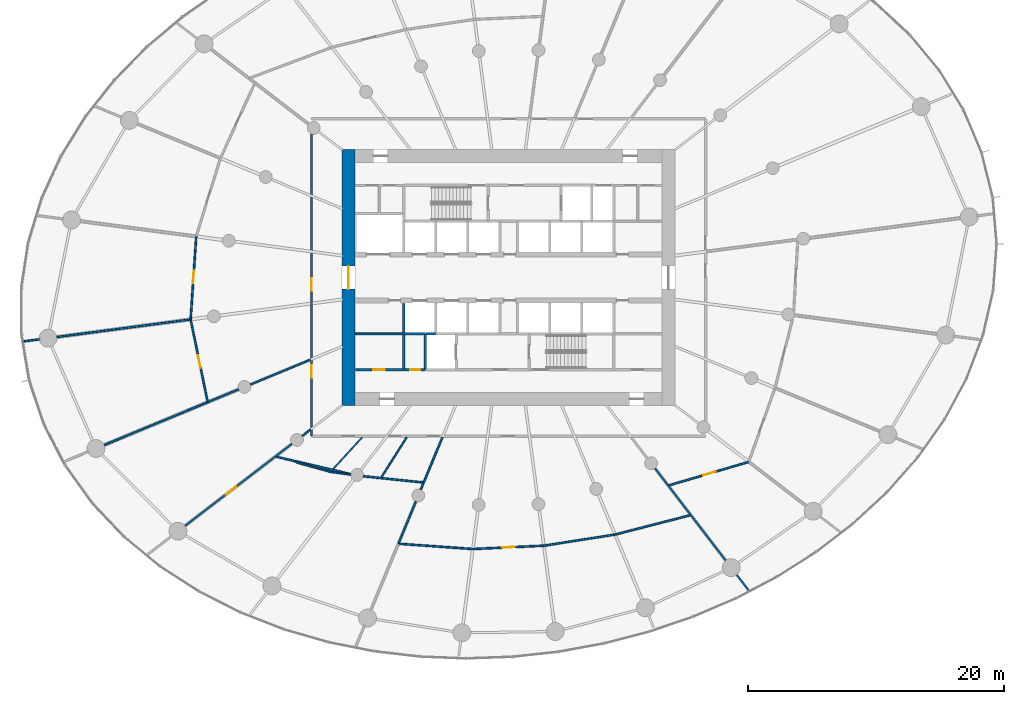
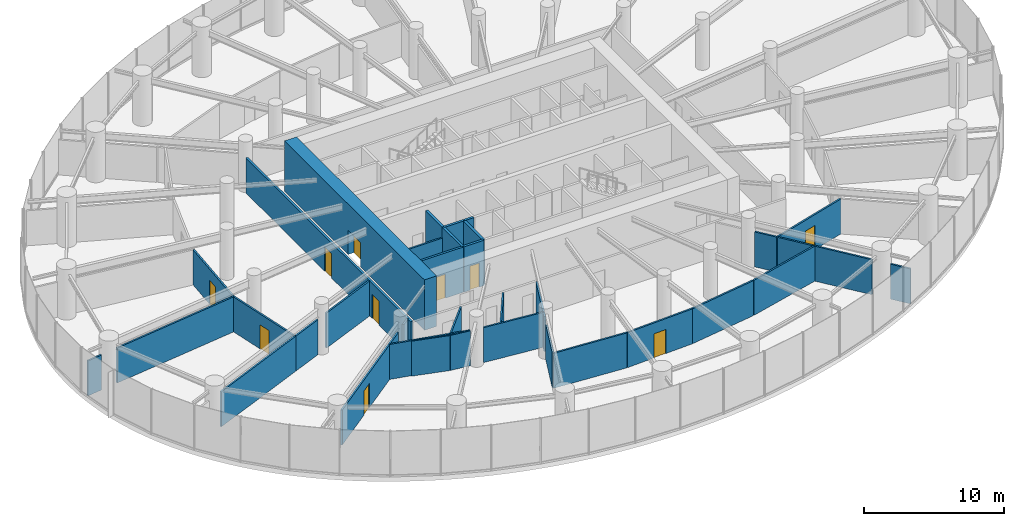
# One storey, part 12 of 19: 38 walls, 10 doors, 10 openings.
"""IFC4 building model written with IfcOpenShell, lengths in metres."""

from ifc_helpers import new_model, si_unit, direction, frame, frame_2d, origin, place, context, subcontext, project, spatial, rectangle, extrude, source, transform, mapped, material, layer, layer_set, type_object, element, fill, save


model = new_model("IFC4")

# Units and contexts
model_context = context("Model", 3, precision=1e-05, world=origin(), true_north=direction((0.0, 1.0)))
body_context = subcontext(model_context, "Body", "Model", "MODEL_VIEW")
ifc_project = project(units=[si_unit("LENGTHUNIT", "METRE"), si_unit("AREAUNIT", "SQUARE_METRE"), si_unit("VOLUMEUNIT", "CUBIC_METRE"), si_unit("PLANEANGLEUNIT", "RADIAN"), si_unit("MASSUNIT", "GRAM", prefix="KILO")], contexts=[model_context])

# Site, building, storey
site_placement = place(None, origin())
site = spatial("IfcSite", under=ifc_project, at=site_placement, CompositionType="ELEMENT")
building_placement = place(site_placement, origin())
building = spatial("IfcBuilding", under=site, at=building_placement, Name="Spindrift Exchange Tower", CompositionType="ELEMENT")
storey_placement = place(building_placement, frame((0.0, 0.0, 44.60009765625)))
storey = spatial("IfcBuildingStorey", under=building, at=storey_placement, Name="L10", CompositionType="ELEMENT", Elevation=44.60009765625)

# Wall, opening, door
ifc_material_1 = material(Name="Concrete 80 MPa", Category="concrete")
ifc_layer_1 = layer(ifc_material_1, 1.0)
ifc_layer_set_1 = layer_set([ifc_layer_1], Name="RC Core Wall 1000 Concrete 80 MPa")
wall_type_1 = type_object("IfcWallType", Name="RC Core Wall 1000 Concrete 80 MPa", PredefinedType="SHEAR", material=ifc_layer_set_1)
wall_1_placement = place(storey_placement, frame((39.5, 58.0, 0.0), z_axis=(0.0, 0.0, 1.0), x_axis=(0.0, -1.0, 0.0)))
wall_1 = element("IfcWall", 1, at=wall_1_placement, inside=storey, type_object=wall_type_1, Name="Core wall W L10", PredefinedType="SHEAR", context=body_context, shape_type="SweptSolid", body=[
    extrude(rectangle(XDim=20.0, YDim=1.0, at=frame_2d((10.0, 0.0))), origin(), (0.0, 0.0, 1.0), 4.39990234375),
])
opening_1_placement = place(wall_1_placement, frame((9.10009765625, 0.0, 0.0)))
opening_1 = element("IfcOpeningElement", 2, at=opening_1_placement, cuts=wall_1, Name="Opening L10-D1", PredefinedType="OPENING", context=body_context, shape_type="SweptSolid", body=[
    extrude(rectangle(XDim=1.800048828125, YDim=2.10009765625, at=frame_2d((0.89990234375, 1.050048828125))), frame((0.0, 0.510009765625, 0.0), z_axis=(0.0, -1.0, 0.0), x_axis=(1.0, 0.0, 0.0)), (0.0, 0.0, 1.0), 1.02001953125),
])
ifc_material_2 = material(Name="Timber-core fire door", Category="wood")
door_type_1 = type_object("IfcDoorType", Name="DR-LOBBY-1800", OperationType="NOTDEFINED", PredefinedType="DOOR", material=ifc_material_2)
shared_shape_1 = source(origin(), body_context, "Body", "SweptSolid", [
    extrude(rectangle(XDim=1.800048828125, YDim=2.10009765625, at=frame_2d((0.89990234375, 1.050048828125))), frame((0.0, 0.02490234375, 0.0), z_axis=(0.0, -1.0, 0.0), x_axis=(1.0, 0.0, 0.0)), (0.0, 0.0, 1.0), 0.050048828125),
])
door_1_placement = place(opening_1_placement, origin())
door_1 = element("IfcDoor", 3, at=door_1_placement, inside=storey, type_object=door_type_1, Name="L10 Lobby door 1", OperationType="SINGLE_SWING_RIGHT", OverallHeight=2.10009765625, OverallWidth=1.800048828125, PredefinedType="DOOR", context=body_context, shape_type="MappedRepresentation", body=[
    mapped(shared_shape_1, transform((0.0, 0.0, 0.0), scale=1.0)),
])
fill(opening_1, door_1)

# Wall, openings, doors
ifc_material_3 = material(Name="Fire-rated plasterboard partition", Category="gypsum")
ifc_layer_2 = layer(ifc_material_3, 0.179931640625)
ifc_layer_set_2 = layer_set([ifc_layer_2], Name="W-CORR-180")
wall_type_2 = type_object("IfcWallType", Name="W-CORR-180", PredefinedType="PARTITIONING", material=ifc_layer_set_2)
wall_2_placement = place(storey_placement, frame((36.60009765625, 35.6298828125, 0.0), z_axis=(0.0, 0.0, 1.0), x_axis=(0.0, 1.0, 0.0)))
wall_2 = element("IfcWall", 4, at=wall_2_placement, inside=storey, type_object=wall_type_2, Name="L10 Partition wall 60", PredefinedType="PARTITIONING", context=body_context, shape_type="SweptSolid", body=[
    extrude(rectangle(XDim=23.58251953125, YDim=0.179931640625, at=frame_2d((11.791259765625, 0.0))), origin(), (0.0, 0.0, 1.0), 3.0498046875),
])
opening_2_placement = place(wall_2_placement, frame((11.33251953125, 0.0, 0.0)))
opening_2 = element("IfcOpeningElement", 5, at=opening_2_placement, cuts=wall_2, Name="Opening L10-D40", PredefinedType="OPENING", context=body_context, shape_type="SweptSolid", body=[
    extrude(rectangle(XDim=1.0, YDim=2.10009765625, at=frame_2d((0.5, 1.050048828125))), frame((0.0, 0.099853515625, 0.0), z_axis=(0.0, -1.0, 0.0), x_axis=(1.0, 0.0, 0.0)), (0.0, 0.0, 1.0), 0.199951171875),
])
opening_3_placement = place(wall_2_placement, frame((4.532470703125, 0.0, 0.0)))
opening_3 = element("IfcOpeningElement", 6, at=opening_3_placement, cuts=wall_2, Name="Opening L10-D45", PredefinedType="OPENING", context=body_context, shape_type="SweptSolid", body=[
    extrude(rectangle(XDim=1.0, YDim=2.10009765625, at=frame_2d((0.5, 1.050048828125))), frame((0.0, 0.099853515625, 0.0), z_axis=(0.0, -1.0, 0.0), x_axis=(1.0, 0.0, 0.0)), (0.0, 0.0, 1.0), 0.199951171875),
])
door_type_2 = type_object("IfcDoorType", Name="DR-ROOM-1000", OperationType="NOTDEFINED", PredefinedType="DOOR", material=ifc_material_2)
shared_shape_2 = source(origin(), body_context, "Body", "SweptSolid", [
    extrude(rectangle(XDim=1.0, YDim=2.10009765625, at=frame_2d((0.5, 1.050048828125))), frame((0.0, 0.02490234375, 0.0), z_axis=(0.0, -1.0, 0.0), x_axis=(1.0, 0.0, 0.0)), (0.0, 0.0, 1.0), 0.050048828125),
])
door_2_placement = place(opening_2_placement, origin())
door_2 = element("IfcDoor", 7, at=door_2_placement, inside=storey, type_object=door_type_2, Name="L10 Door 40", OperationType="SINGLE_SWING_LEFT", OverallHeight=2.10009765625, OverallWidth=1.0, PredefinedType="DOOR", context=body_context, shape_type="MappedRepresentation", body=[
    mapped(shared_shape_2, transform((0.0, 0.0, 0.0), scale=1.0)),
])
fill(opening_2, door_2)
door_3_placement = place(opening_3_placement, origin())
door_3 = element("IfcDoor", 8, at=door_3_placement, inside=storey, type_object=door_type_2, Name="L10 Door 45", OperationType="SINGLE_SWING_RIGHT", OverallHeight=2.10009765625, OverallWidth=1.0, PredefinedType="DOOR", context=body_context, shape_type="MappedRepresentation", body=[
    mapped(shared_shape_2, transform((0.0, 0.0, 0.0), scale=1.0)),
])
fill(opening_3, door_3)

# Wall, opening, door
wall_3_placement = place(storey_placement, frame((40.02001953125, 40.800048828125, 0.0), z_axis=(0.0, 0.0, 1.0), x_axis=(1.0, 0.0, 0.0)))
wall_3 = element("IfcWall", 9, at=wall_3_placement, inside=storey, type_object=wall_type_2, Name="L10 Partition wall 61", PredefinedType="PARTITIONING", context=body_context, shape_type="SweptSolid", body=[
    extrude(rectangle(XDim=3.75, YDim=0.179931640625, at=frame_2d((1.875, 0.0))), origin(), (0.0, 0.0, 1.0), 3.949951171875),
])
opening_4_placement = place(wall_3_placement, frame((1.39990234375, 0.0, 0.0)))
opening_4 = element("IfcOpeningElement", 10, at=opening_4_placement, cuts=wall_3, Name="Opening L10-D48", PredefinedType="OPENING", context=body_context, shape_type="SweptSolid", body=[
    extrude(rectangle(XDim=0.89990234375, YDim=2.10009765625, at=frame_2d((0.449951171875, 1.050048828125))), frame((0.0, 0.099853515625, 0.0), z_axis=(0.0, -1.0, 0.0), x_axis=(1.0, 0.0, 0.0)), (0.0, 0.0, 1.0), 0.199951171875),
])
ifc_material_4 = material(Name="Steel access door", Category="steel")
door_type_3 = type_object("IfcDoorType", Name="DR-RISER-900", OperationType="NOTDEFINED", PredefinedType="DOOR", material=ifc_material_4)
shared_shape_3 = source(origin(), body_context, "Body", "SweptSolid", [
    extrude(rectangle(XDim=0.89990234375, YDim=2.10009765625, at=frame_2d((0.449951171875, 1.050048828125))), frame((0.0, 0.02490234375, 0.0), z_axis=(0.0, -1.0, 0.0), x_axis=(1.0, 0.0, 0.0)), (0.0, 0.0, 1.0), 0.050048828125),
])
door_4_placement = place(opening_4_placement, origin())
door_4 = element("IfcDoor", 11, at=door_4_placement, inside=storey, type_object=door_type_3, Name="L10 Riser door 48", OperationType="SINGLE_SWING_LEFT", OverallHeight=2.10009765625, OverallWidth=0.89990234375, PredefinedType="DOOR", context=body_context, shape_type="MappedRepresentation", body=[
    mapped(shared_shape_3, transform((0.0, 0.0, 0.0), scale=1.0)),
])
fill(opening_4, door_4)

# Wall
ifc_layer_3 = layer(ifc_material_3, 0.139892578125)
ifc_layer_set_3 = layer_set([ifc_layer_3], Name="W-PART-140")
wall_type_3 = type_object("IfcWallType", Name="W-PART-140", PredefinedType="PARTITIONING", material=ifc_layer_set_3)
wall_4_placement = place(storey_placement, frame((27.150634765625, 44.728515625, 0.0), z_axis=(0.0, 0.0, 1.0), x_axis=(-0.991445773007, -0.130519267494, 0.0)))
element("IfcWall", 12, at=wall_4_placement, inside=storey, type_object=wall_type_3, Name="L10 Partition wall 67", PredefinedType="PARTITIONING", context=body_context, shape_type="SweptSolid", body=[
    extrude(rectangle(XDim=10.532958984375, YDim=0.139892578125, at=frame_2d((5.2666015625, 0.0))), origin(), (0.0, 0.0, 1.0), 3.0498046875),
])

# Wall, opening, door
wall_5_placement = place(storey_placement, frame((33.775634765625, 34.015869140625, 0.0), z_axis=(0.0, 0.0, 1.0), x_axis=(-0.793363616038, -0.608748037161, 0.0)))
wall_5 = element("IfcWall", 13, at=wall_5_placement, inside=storey, type_object=wall_type_3, Name="L10 Partition wall 71", PredefinedType="PARTITIONING", context=body_context, shape_type="SweptSolid", body=[
    extrude(rectangle(XDim=8.889404296875, YDim=0.139892578125, at=frame_2d((4.44482421875, 0.0))), origin(), (0.0, 0.0, 1.0), 3.0498046875),
])
opening_5_placement = place(wall_5_placement, frame((3.85009765625, 0.0, 0.0)))
opening_5 = element("IfcOpeningElement", 14, at=opening_5_placement, cuts=wall_5, Name="Opening L10-D29", PredefinedType="OPENING", context=body_context, shape_type="SweptSolid", body=[
    extrude(rectangle(XDim=1.0, YDim=2.10009765625, at=frame_2d((0.5, 1.050048828125))), frame((0.0, 0.079833984375, 0.0), z_axis=(0.0, -1.0, 0.0), x_axis=(1.0, 0.0, 0.0)), (0.0, 0.0, 1.0), 0.159912109375),
])
door_5_placement = place(opening_5_placement, origin())
door_5 = element("IfcDoor", 15, at=door_5_placement, inside=storey, type_object=door_type_2, Name="L10 Door 29", OperationType="SINGLE_SWING_RIGHT", OverallHeight=2.10009765625, OverallWidth=1.0, PredefinedType="DOOR", context=body_context, shape_type="MappedRepresentation", body=[
    mapped(shared_shape_2, transform((0.0, 0.0, 0.0), scale=1.0)),
])
fill(opening_5, door_5)

# Wall
wall_6_placement = place(storey_placement, frame((28.489013671875, 38.261474609375, 0.0), z_axis=(0.0, 0.0, 1.0), x_axis=(-0.923879491354, -0.382683531727, 0.0)))
element("IfcWall", 16, at=wall_6_placement, inside=storey, type_object=wall_type_3, Name="L10 Partition wall 73", PredefinedType="PARTITIONING", context=body_context, shape_type="SweptSolid", body=[
    extrude(rectangle(XDim=8.7529296875, YDim=0.139892578125, at=frame_2d((4.37646484375, 0.0))), origin(), (0.0, 0.0, 1.0), 3.0498046875),
])

# Wall, opening, door
wall_7_placement = place(storey_placement, frame((28.48291015625, 38.290771484375, 0.0), z_axis=(0.0, 0.0, 1.0), x_axis=(-0.202647546794, 0.979251740758, 0.0)))
wall_7 = element("IfcWall", 17, at=wall_7_placement, inside=storey, type_object=wall_type_3, Name="L10 Partition wall 78", PredefinedType="PARTITIONING", context=body_context, shape_type="SweptSolid", body=[
    extrude(rectangle(XDim=6.544189453125, YDim=0.139892578125, at=frame_2d((3.27197265625, 0.0))), origin(), (0.0, 0.0, 1.0), 3.0498046875),
])
opening_6_placement = place(wall_7_placement, frame((2.694091796875, 0.0, 0.0)))
opening_6 = element("IfcOpeningElement", 18, at=opening_6_placement, cuts=wall_7, Name="Opening L10-D44", PredefinedType="OPENING", context=body_context, shape_type="SweptSolid", body=[
    extrude(rectangle(XDim=1.0, YDim=2.10009765625, at=frame_2d((0.5, 1.050048828125))), frame((0.0, 0.079833984375, 0.0), z_axis=(0.0, -1.0, 0.0), x_axis=(1.0, 0.0, 0.0)), (0.0, 0.0, 1.0), 0.159912109375),
])
door_6_placement = place(opening_6_placement, origin())
door_6 = element("IfcDoor", 19, at=door_6_placement, inside=storey, type_object=door_type_2, Name="L10 Door 44", OperationType="SINGLE_SWING_LEFT", OverallHeight=2.10009765625, OverallWidth=1.0, PredefinedType="DOOR", context=body_context, shape_type="MappedRepresentation", body=[
    mapped(shared_shape_2, transform((0.0, 0.0, 0.0), scale=1.0)),
])
fill(opening_6, door_6)

wall_8_placement = place(storey_placement, frame((70.768798828125, 33.59814453125, 0.0), z_axis=(0.0, 0.0, 1.0), x_axis=(-0.959164410747, -0.282849134974, 0.0)))
wall_8 = element("IfcWall", 20, at=wall_8_placement, inside=storey, type_object=wall_type_3, Name="L10 Partition wall 79", PredefinedType="PARTITIONING", context=body_context, shape_type="SweptSolid", body=[
    extrude(rectangle(XDim=6.561767578125, YDim=0.139892578125, at=frame_2d((3.28076171875, 0.0))), origin(), (0.0, 0.0, 1.0), 3.0498046875),
])
opening_7_placement = place(wall_8_placement, frame((2.7119140625, 0.0, 0.0)))
opening_7 = element("IfcOpeningElement", 21, at=opening_7_placement, cuts=wall_8, Name="Opening L10-D31", PredefinedType="OPENING", context=body_context, shape_type="SweptSolid", body=[
    extrude(rectangle(XDim=1.0, YDim=2.10009765625, at=frame_2d((0.5, 1.050048828125))), frame((0.0, 0.079833984375, 0.0), z_axis=(0.0, -1.0, 0.0), x_axis=(1.0, 0.0, 0.0)), (0.0, 0.0, 1.0), 0.159912109375),
])
door_7_placement = place(opening_7_placement, origin())
door_7 = element("IfcDoor", 22, at=door_7_placement, inside=storey, type_object=door_type_2, Name="L10 Door 31", OperationType="SINGLE_SWING_RIGHT", OverallHeight=2.10009765625, OverallWidth=1.0, PredefinedType="DOOR", context=body_context, shape_type="MappedRepresentation", body=[
    mapped(shared_shape_2, transform((0.0, 0.0, 0.0), scale=1.0)),
])
fill(opening_7, door_7)

wall_9_placement = place(storey_placement, frame((27.15283203125, 44.758544921875, 0.0), z_axis=(0.0, 0.0, 1.0), x_axis=(0.067555628739, 0.997715509063, 0.0)))
wall_9 = element("IfcWall", 23, at=wall_9_placement, inside=storey, type_object=wall_type_3, Name="L10 Partition wall 80", PredefinedType="PARTITIONING", context=body_context, shape_type="SweptSolid", body=[
    extrude(rectangle(XDim=6.43994140625, YDim=0.139892578125, at=frame_2d((3.219970703125, 0.0))), origin(), (0.0, 0.0, 1.0), 3.0498046875),
])
opening_8_placement = place(wall_9_placement, frame((2.7900390625, 0.0, 0.0)))
opening_8 = element("IfcOpeningElement", 24, at=opening_8_placement, cuts=wall_9, Name="Opening L10-D43", PredefinedType="OPENING", context=body_context, shape_type="SweptSolid", body=[
    extrude(rectangle(XDim=1.0, YDim=2.10009765625, at=frame_2d((0.5, 1.050048828125))), frame((0.0, 0.079833984375, 0.0), z_axis=(0.0, -1.0, 0.0), x_axis=(1.0, 0.0, 0.0)), (0.0, 0.0, 1.0), 0.159912109375),
])
door_8_placement = place(opening_8_placement, origin())
door_8 = element("IfcDoor", 25, at=door_8_placement, inside=storey, type_object=door_type_2, Name="L10 Door 43", OperationType="SINGLE_SWING_RIGHT", OverallHeight=2.10009765625, OverallWidth=1.0, PredefinedType="DOOR", context=body_context, shape_type="MappedRepresentation", body=[
    mapped(shared_shape_2, transform((0.0, 0.0, 0.0), scale=1.0)),
])
fill(opening_8, door_8)

# Walls
wall_10_placement = place(storey_placement, frame((60.319091796875, 27.91552734375, 0.0), z_axis=(0.0, 0.0, 1.0), x_axis=(0.968340865999, 0.24963166313, 0.0)))
element("IfcWall", 26, at=wall_10_placement, inside=storey, type_object=wall_type_3, Name="L10 Partition wall 84", PredefinedType="PARTITIONING", context=body_context, shape_type="SweptSolid", body=[
    extrude(rectangle(XDim=6.114501953125, YDim=0.139892578125, at=frame_2d((3.05712890625, 0.0))), origin(), (0.0, 0.0, 1.0), 3.0498046875),
])
wall_11_placement = place(storey_placement, frame((33.8046875, 34.009033203125, 0.0), z_axis=(0.0, 0.0, 1.0), x_axis=(0.973632222489, -0.22812342127, 0.0)))
element("IfcWall", 27, at=wall_11_placement, inside=storey, type_object=wall_type_3, Name="L10 Partition wall 85", PredefinedType="PARTITIONING", context=body_context, shape_type="SweptSolid", body=[
    extrude(rectangle(XDim=6.017822265625, YDim=0.139892578125, at=frame_2d((3.0087890625, 0.0))), origin(), (0.0, 0.0, 1.0), 3.0498046875),
])
wall_12_placement = place(storey_placement, frame((43.3837890625, 27.198974609375, 0.0), z_axis=(0.0, 0.0, 1.0), x_axis=(0.997508340925, -0.070548634182, 0.0)))
element("IfcWall", 28, at=wall_12_placement, inside=storey, type_object=wall_type_3, Name="L10 Partition wall 87", PredefinedType="PARTITIONING", context=body_context, shape_type="SweptSolid", body=[
    extrude(rectangle(XDim=5.838134765625, YDim=0.139892578125, at=frame_2d((2.9189453125, 0.0))), origin(), (0.0, 0.0, 1.0), 3.0498046875),
])
wall_13_placement = place(storey_placement, frame((54.758544921875, 27.047119140625, 0.0), z_axis=(0.0, 0.0, 1.0), x_axis=(0.98802429514, 0.154298386943, 0.0)))
element("IfcWall", 29, at=wall_13_placement, inside=storey, type_object=wall_type_3, Name="L10 Partition wall 89", PredefinedType="PARTITIONING", context=body_context, shape_type="SweptSolid", body=[
    extrude(rectangle(XDim=5.59814453125, YDim=0.139892578125, at=frame_2d((2.799072265625, 0.0))), origin(), (0.0, 0.0, 1.0), 3.0498046875),
])

# Wall, opening, door
wall_14_placement = place(storey_placement, frame((54.728515625, 27.045654296875, 0.0), z_axis=(0.0, 0.0, 1.0), x_axis=(-0.998905899041, -0.046765423781, 0.0)))
wall_14 = element("IfcWall", 30, at=wall_14_placement, inside=storey, type_object=wall_type_3, Name="L10 Partition wall 91", PredefinedType="PARTITIONING", context=body_context, shape_type="SweptSolid", body=[
    extrude(rectangle(XDim=5.497314453125, YDim=0.139892578125, at=frame_2d((2.74853515625, 0.0))), origin(), (0.0, 0.0, 1.0), 3.0498046875),
])
opening_9_placement = place(wall_14_placement, frame((2.247314453125, 0.0, 0.0)))
opening_9 = element("IfcOpeningElement", 31, at=opening_9_placement, cuts=wall_14, Name="Opening L10-D28", PredefinedType="OPENING", context=body_context, shape_type="SweptSolid", body=[
    extrude(rectangle(XDim=1.0, YDim=2.10009765625, at=frame_2d((0.5, 1.050048828125))), frame((0.0, 0.079833984375, 0.0), z_axis=(0.0, -1.0, 0.0), x_axis=(1.0, 0.0, 0.0)), (0.0, 0.0, 1.0), 0.159912109375),
])
door_9_placement = place(opening_9_placement, origin())
door_9 = element("IfcDoor", 32, at=door_9_placement, inside=storey, type_object=door_type_2, Name="L10 Door 28", OperationType="SINGLE_SWING_LEFT", OverallHeight=2.10009765625, OverallWidth=1.0, PredefinedType="DOOR", context=body_context, shape_type="MappedRepresentation", body=[
    mapped(shared_shape_2, transform((0.0, 0.0, 0.0), scale=1.0)),
])
fill(opening_9, door_9)

# Walls
wall_15_placement = place(storey_placement, frame((36.510009765625, 41.583740234375, 0.0), z_axis=(0.0, 0.0, 1.0), x_axis=(-0.923890025086, -0.382658100067, 0.0)))
element("IfcWall", 33, at=wall_15_placement, inside=storey, type_object=wall_type_3, Name="L10 Partition wall 97", PredefinedType="PARTITIONING", context=body_context, shape_type="SweptSolid", body=[
    extrude(rectangle(XDim=5.068359375, YDim=0.139892578125, at=frame_2d((2.5341796875, 0.0))), origin(), (0.0, 0.0, 1.0), 3.0498046875),
])
wall_16_placement = place(storey_placement, frame((40.65869140625, 32.47216796875, 0.0), z_axis=(0.0, 0.0, 1.0), x_axis=(0.994613201527, -0.103656062762, 0.0)))
element("IfcWall", 34, at=wall_16_placement, inside=storey, type_object=wall_type_3, Name="L10 Partition wall 99", PredefinedType="PARTITIONING", context=body_context, shape_type="SweptSolid", body=[
    extrude(rectangle(XDim=4.731689453125, YDim=0.139892578125, at=frame_2d((2.36572265625, 0.0))), origin(), (0.0, 0.0, 1.0), 3.0498046875),
])
wall_17_placement = place(storey_placement, frame((66.25830078125, 29.418212890625, 0.0), z_axis=(0.0, 0.0, 1.0), x_axis=(0.608774632027, -0.793343209085, 0.0)))
element("IfcWall", 35, at=wall_17_placement, inside=storey, type_object=wall_type_3, Name="L10 Partition wall 101", PredefinedType="PARTITIONING", context=body_context, shape_type="SweptSolid", body=[
    extrude(rectangle(XDim=4.451171875, YDim=0.139892578125, at=frame_2d((2.2255859375, 0.0))), origin(), (0.0, 0.0, 1.0), 3.0498046875),
])
wall_18_placement = place(storey_placement, frame((46.826416015625, 35.510009765625, 0.0), z_axis=(0.0, 0.0, 1.0), x_axis=(-0.382683759209, -0.923879397128, 0.0)))
element("IfcWall", 36, at=wall_18_placement, inside=storey, type_object=wall_type_3, Name="L10 Partition wall 102", PredefinedType="PARTITIONING", context=body_context, shape_type="SweptSolid", body=[
    extrude(rectangle(XDim=3.788818359375, YDim=0.139892578125, at=frame_2d((1.89453125, 0.0))), origin(), (0.0, 0.0, 1.0), 3.0498046875),
])
wall_19_placement = place(storey_placement, frame((43.77001953125, 43.60009765625, 0.0), z_axis=(0.0, 0.0, 1.0), x_axis=(-1.0, 0.0, 0.0)))
element("IfcWall", 37, at=wall_19_placement, inside=storey, type_object=wall_type_3, Name="L10 Partition wall 103", PredefinedType="PARTITIONING", context=body_context, shape_type="SweptSolid", body=[
    extrude(rectangle(XDim=3.75, YDim=0.139892578125, at=frame_2d((1.875, 0.0))), origin(), (0.0, 0.0, 1.0), 3.0498046875),
])
wall_20_placement = place(storey_placement, frame((44.752197265625, 30.502197265625, 0.0), z_axis=(0.0, 0.0, 1.0), x_axis=(-0.382698672088, -0.923873219864, 0.0)))
element("IfcWall", 38, at=wall_20_placement, inside=storey, type_object=wall_type_3, Name="L10 Partition wall 106", PredefinedType="PARTITIONING", context=body_context, shape_type="SweptSolid", body=[
    extrude(rectangle(XDim=3.501708984375, YDim=0.139892578125, at=frame_2d((1.7509765625, 0.0))), origin(), (0.0, 0.0, 1.0), 3.0498046875),
])
wall_21_placement = place(storey_placement, frame((64.520751953125, 31.6826171875, 0.0), z_axis=(0.0, 0.0, 1.0), x_axis=(0.608761578312, -0.793353225727, 0.0)))
element("IfcWall", 39, at=wall_21_placement, inside=storey, type_object=wall_type_3, Name="L10 Partition wall 108", PredefinedType="PARTITIONING", context=body_context, shape_type="SweptSolid", body=[
    extrude(rectangle(XDim=2.748291015625, YDim=0.139892578125, at=frame_2d((1.3740234375, 0.0))), origin(), (0.0, 0.0, 1.0), 3.0498046875),
])
wall_22_placement = place(storey_placement, frame((30.89404296875, 39.2578125, 0.0), z_axis=(0.0, 0.0, 1.0), x_axis=(-0.923866506459, -0.382714878523, 0.0)))
element("IfcWall", 40, at=wall_22_placement, inside=storey, type_object=wall_type_3, Name="L10 Partition wall 110", PredefinedType="PARTITIONING", context=body_context, shape_type="SweptSolid", body=[
    extrude(rectangle(XDim=2.5732421875, YDim=0.139892578125, at=frame_2d((1.28662109375, 0.0))), origin(), (0.0, 0.0, 1.0), 3.0498046875),
])
wall_23_placement = place(storey_placement, frame((63.44091796875, 33.08984375, 0.0), z_axis=(0.0, 0.0, 1.0), x_axis=(0.608812360851, -0.793314256317, 0.0)))
element("IfcWall", 41, at=wall_23_placement, inside=storey, type_object=wall_type_3, Name="L10 Partition wall 127", PredefinedType="PARTITIONING", context=body_context, shape_type="SweptSolid", body=[
    extrude(rectangle(XDim=1.668701171875, YDim=0.139892578125, at=frame_2d((0.83447265625, 0.0))), origin(), (0.0, 0.0, 1.0), 3.0498046875),
])
wall_24_placement = place(storey_placement, frame((35.06494140625, 35.00537109375, 0.0), z_axis=(0.0, 0.0, 1.0), x_axis=(-0.793286864057, -0.608848052732, 0.0)))
element("IfcWall", 42, at=wall_24_placement, inside=storey, type_object=wall_type_3, Name="L10 Partition wall 128", PredefinedType="PARTITIONING", context=body_context, shape_type="SweptSolid", body=[
    extrude(rectangle(XDim=1.587158203125, YDim=0.139892578125, at=frame_2d((0.79345703125, 0.0))), origin(), (0.0, 0.0, 1.0), 3.0498046875),
])
wall_25_placement = place(storey_placement, frame((69.8251953125, 24.76953125, 0.0), z_axis=(0.0, 0.0, 1.0), x_axis=(0.608816471317, -0.793311101809, 0.0)))
element("IfcWall", 43, at=wall_25_placement, inside=storey, type_object=wall_type_3, Name="L10 Partition wall 129", PredefinedType="PARTITIONING", context=body_context, shape_type="SweptSolid", body=[
    extrude(rectangle(XDim=1.544189453125, YDim=0.139892578125, at=frame_2d((0.77197265625, 0.0))), origin(), (0.0, 0.0, 1.0), 3.0498046875),
])
wall_26_placement = place(storey_placement, frame((15.311279296875, 43.169921875, 0.0), z_axis=(0.0, 0.0, 1.0), x_axis=(-0.991424298155, -0.130682290411, 0.0)))
element("IfcWall", 44, at=wall_26_placement, inside=storey, type_object=wall_type_3, Name="L10 Partition wall 131", PredefinedType="PARTITIONING", context=body_context, shape_type="SweptSolid", body=[
    extrude(rectangle(XDim=1.219970703125, YDim=0.139892578125, at=frame_2d((0.60986328125, 0.0))), origin(), (0.0, 0.0, 1.0), 3.0498046875),
])
wall_27_placement = place(storey_placement, frame((36.510009765625, 36.114013671875, 0.0), z_axis=(0.0, 0.0, 1.0), x_axis=(-0.793316076519, -0.608809989025, 0.0)))
element("IfcWall", 45, at=wall_27_placement, inside=storey, type_object=wall_type_3, Name="L10 Partition wall 133", PredefinedType="PARTITIONING", context=body_context, shape_type="SweptSolid", body=[
    extrude(rectangle(XDim=0.8125, YDim=0.139892578125, at=frame_2d((0.40625, 0.0))), origin(), (0.0, 0.0, 1.0), 3.0498046875),
])
wall_28_placement = place(storey_placement, frame((45.337158203125, 31.914306640625, 0.0), z_axis=(0.0, 0.0, 1.0), x_axis=(-0.382809221062, -0.923827419094, 0.0)))
element("IfcWall", 46, at=wall_28_placement, inside=storey, type_object=wall_type_3, Name="L10 Partition wall 134", PredefinedType="PARTITIONING", context=body_context, shape_type="SweptSolid", body=[
    extrude(rectangle(XDim=0.5185546875, YDim=0.139892578125, at=frame_2d((0.25927734375, 0.0))), origin(), (0.0, 0.0, 1.0), 3.0498046875),
])
ifc_material_5 = material(Name="Concrete 40 MPa", Category="concrete")
ifc_layer_4 = layer(ifc_material_5, 0.199951171875)
ifc_layer_set_4 = layer_set([ifc_layer_4], Name="W-SHAFT-200")
wall_type_4 = type_object("IfcWallType", Name="W-SHAFT-200", PredefinedType="SOLIDWALL", material=ifc_layer_set_4)
for number, where, z_axis, x_axis, name in (
    (47, (43.800048828125, 43.60009765625, 0.0), (0.0, 0.0, 1.0), (0.0, -1.0, 0.0), "L10 Shaft wall 6"),
    (48, (45.5, 43.60009765625, 0.0), (0.0, 0.0, 1.0), (0.0, -1.0, 0.0), "L10 Shaft wall 7"),
):
    element("IfcWall", number, at=place(storey_placement, frame(where, z_axis=z_axis, x_axis=x_axis)), inside=storey, type_object=wall_type_4, Name=name, PredefinedType="SOLIDWALL", context=body_context, shape_type="SweptSolid", body=[
        extrude(rectangle(XDim=2.800048828125, YDim=0.199951171875, at=frame_2d((1.39990234375, 0.0))), origin(), (0.0, 0.0, 1.0), 3.949951171875),
    ])
wall_29_placement = place(storey_placement, frame((43.800048828125, 45.989990234375, 0.0), z_axis=(0.0, 0.0, 1.0), x_axis=(0.0, -1.0, 0.0)))
element("IfcWall", 49, at=wall_29_placement, inside=storey, type_object=wall_type_4, Name="L10 Shaft wall 23", PredefinedType="SOLIDWALL", context=body_context, shape_type="SweptSolid", body=[
    extrude(rectangle(XDim=2.360107421875, YDim=0.199951171875, at=frame_2d((1.18017578125, 0.0))), origin(), (0.0, 0.0, 1.0), 3.949951171875),
])
wall_30_placement = place(storey_placement, frame((43.830078125, 43.60009765625, 0.0), z_axis=(0.0, 0.0, 1.0), x_axis=(1.0, 0.0, 0.0)))
element("IfcWall", 50, at=wall_30_placement, inside=storey, type_object=wall_type_4, Name="L10 Shaft wall 40", PredefinedType="SOLIDWALL", context=body_context, shape_type="SweptSolid", body=[
    extrude(rectangle(XDim=1.639892578125, YDim=0.199951171875, at=frame_2d((0.81982421875, 0.0))), origin(), (0.0, 0.0, 1.0), 3.949951171875),
])

# Wall, opening, door
wall_31_placement = place(storey_placement, frame((43.830078125, 40.800048828125, 0.0), z_axis=(0.0, 0.0, 1.0), x_axis=(1.0, 0.0, 0.0)))
wall_31 = element("IfcWall", 51, at=wall_31_placement, inside=storey, type_object=wall_type_4, Name="L10 Shaft wall 41", PredefinedType="SOLIDWALL", context=body_context, shape_type="SweptSolid", body=[
    extrude(rectangle(XDim=1.639892578125, YDim=0.199951171875, at=frame_2d((0.81982421875, 0.0))), origin(), (0.0, 0.0, 1.0), 3.949951171875),
])
opening_10_placement = place(wall_31_placement, frame((0.469970703125, 0.0, 0.0)))
opening_10 = element("IfcOpeningElement", 52, at=opening_10_placement, cuts=wall_31, Name="Opening L10-D19", PredefinedType="OPENING", context=body_context, shape_type="SweptSolid", body=[
    extrude(rectangle(XDim=0.800048828125, YDim=2.10009765625, at=frame_2d((0.39990234375, 1.050048828125))), frame((0.0, 0.10986328125, 0.0), z_axis=(0.0, -1.0, 0.0), x_axis=(1.0, 0.0, 0.0)), (0.0, 0.0, 1.0), 0.219970703125),
])
door_type_4 = type_object("IfcDoorType", Name="DR-RISER-800", OperationType="NOTDEFINED", PredefinedType="DOOR", material=ifc_material_4)
shared_shape_4 = source(origin(), body_context, "Body", "SweptSolid", [
    extrude(rectangle(XDim=0.800048828125, YDim=2.10009765625, at=frame_2d((0.39990234375, 1.050048828125))), frame((0.0, 0.02490234375, 0.0), z_axis=(0.0, -1.0, 0.0), x_axis=(1.0, 0.0, 0.0)), (0.0, 0.0, 1.0), 0.050048828125),
])
door_10_placement = place(opening_10_placement, origin())
door_10 = element("IfcDoor", 53, at=door_10_placement, inside=storey, type_object=door_type_4, Name="L10 Riser door 19", OperationType="SINGLE_SWING_RIGHT", OverallHeight=2.10009765625, OverallWidth=0.800048828125, PredefinedType="DOOR", context=body_context, shape_type="MappedRepresentation", body=[
    mapped(shared_shape_4, transform((0.0, 0.0, 0.0), scale=1.0)),
])
fill(opening_10, door_10)

# Walls
wall_32_placement = place(storey_placement, frame((45.530029296875, 43.60009765625, 0.0), z_axis=(0.0, 0.0, 1.0), x_axis=(1.0, 0.0, 0.0)))
element("IfcWall", 54, at=wall_32_placement, inside=storey, type_object=wall_type_4, Name="L10 Shaft wall 54", PredefinedType="SOLIDWALL", context=body_context, shape_type="SweptSolid", body=[
    extrude(rectangle(XDim=0.739990234375, YDim=0.199951171875, at=frame_2d((0.3701171875, 0.0))), origin(), (0.0, 0.0, 1.0), 3.949951171875),
])
ifc_layer_5 = layer(ifc_material_3, 0.1201171875)
ifc_layer_set_5 = layer_set([ifc_layer_5], Name="W-WET-120")
wall_type_5 = type_object("IfcWallType", Name="W-WET-120", PredefinedType="PARTITIONING", material=ifc_layer_set_5)
wall_33_placement = place(storey_placement, frame((35.364013671875, 33.572021484375, 0.0), z_axis=(0.0, 0.0, 1.0), x_axis=(0.963049305084, -0.269325149172, 0.0)))
element("IfcWall", 55, at=wall_33_placement, inside=storey, type_object=wall_type_5, Name="L10 Partition wall 136", PredefinedType="PARTITIONING", context=body_context, shape_type="SweptSolid", body=[
    extrude(rectangle(XDim=2.82275390625, YDim=0.1201171875, at=frame_2d((1.411376953125, 0.0))), origin(), (0.0, 0.0, 1.0), 3.0498046875),
])
wall_34_placement = place(storey_placement, frame((44.04296875, 35.510009765625, 0.0), z_axis=(0.0, 0.0, 1.0), x_axis=(-0.537273404115, -0.843408139177, 0.0)))
element("IfcWall", 56, at=wall_34_placement, inside=storey, type_object=wall_type_5, Name="L10 Partition wall 137", PredefinedType="PARTITIONING", context=body_context, shape_type="SweptSolid", body=[
    extrude(rectangle(XDim=3.691650390625, YDim=0.1201171875, at=frame_2d((1.845703125, 0.0))), origin(), (0.0, 0.0, 1.0), 3.0498046875),
])
wall_35_placement = place(storey_placement, frame((40.554931640625, 35.510009765625, 0.0), z_axis=(0.0, 0.0, 1.0), x_axis=(-0.675566754316, -0.737298827114, 0.0)))
element("IfcWall", 57, at=wall_35_placement, inside=storey, type_object=wall_type_5, Name="L10 Partition wall 138", PredefinedType="PARTITIONING", context=body_context, shape_type="SweptSolid", body=[
    extrude(rectangle(XDim=3.361572265625, YDim=0.1201171875, at=frame_2d((1.6806640625, 0.0))), origin(), (0.0, 0.0, 1.0), 3.0498046875),
])
wall_36_placement = place(storey_placement, frame((38.1123046875, 32.8076171875, 0.0), z_axis=(0.0, 0.0, 1.0), x_axis=(0.990488726007, -0.137593908485, 0.0)))
element("IfcWall", 58, at=wall_36_placement, inside=storey, type_object=wall_type_5, Name="L10 Partition wall 139", PredefinedType="PARTITIONING", context=body_context, shape_type="SweptSolid", body=[
    extrude(rectangle(XDim=1.563232421875, YDim=0.1201171875, at=frame_2d((0.78173828125, 0.0))), origin(), (0.0, 0.0, 1.0), 3.0498046875),
])

save(model, "model.ifc")
